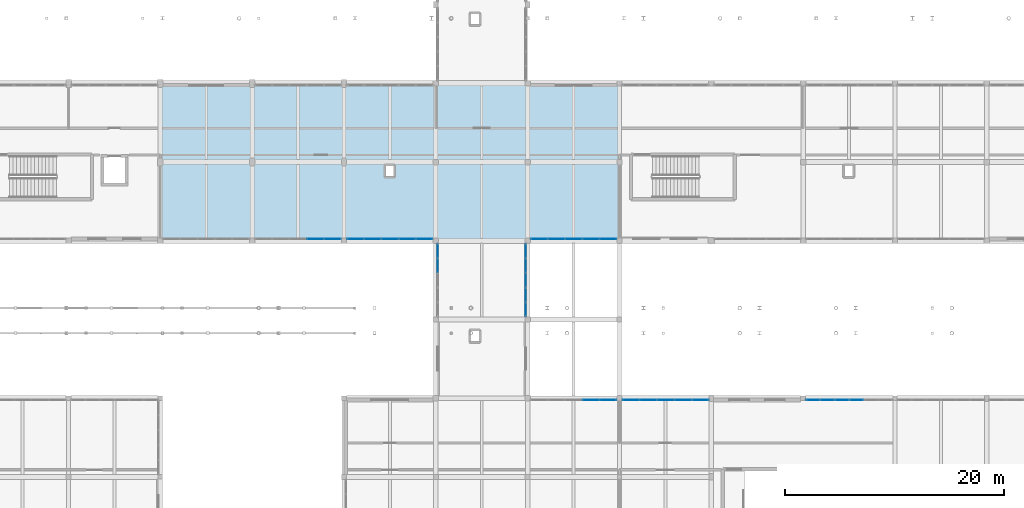
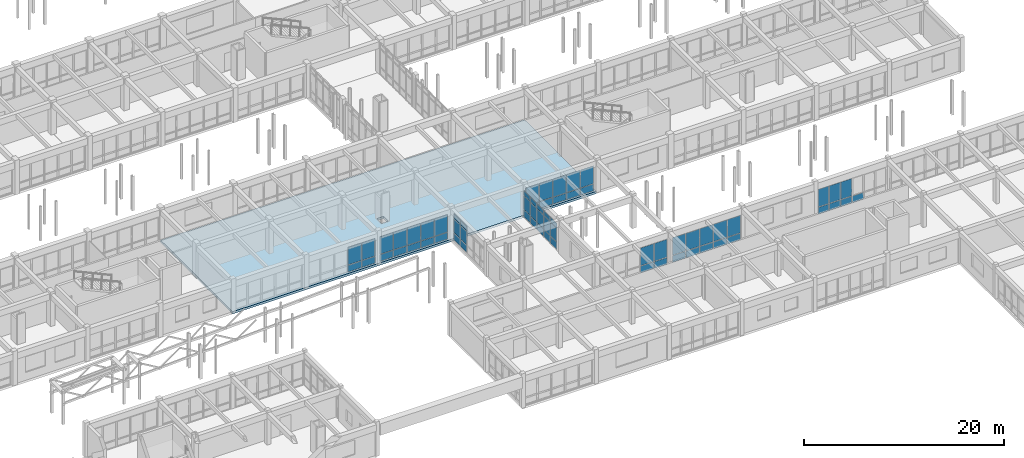
# One storey, part 104 of 147: 66 plates, 1 slab, 8 elements without a shape of their own.
"""IFC4 building model written with IfcOpenShell, lengths in metres."""

from ifc_helpers import new_model, si_unit, direction, frame, origin, origin_2d, place, context, subcontext, project, spatial, polyline, rectangle, outline, extrude, material, layer, layer_set, type_object, element, aggregate, save


model = new_model("IFC4")

# Units and contexts
model_context = context("Model", 3, precision=1e-05, world=origin(), true_north=direction((0.0, 1.0)))
body_context = subcontext(model_context, "Body", "Model", "MODEL_VIEW")
ifc_project = project(units=[si_unit("LENGTHUNIT", "METRE"), si_unit("AREAUNIT", "SQUARE_METRE"), si_unit("VOLUMEUNIT", "CUBIC_METRE"), si_unit("PLANEANGLEUNIT", "RADIAN"), si_unit("MASSUNIT", "GRAM", prefix="KILO")], contexts=[model_context])

# Site, building, storey
site_placement = place(None, origin())
site = spatial("IfcSite", under=ifc_project, at=site_placement, CompositionType="ELEMENT")
building_placement = place(site_placement, origin())
building = spatial("IfcBuilding", under=site, at=building_placement, Name="Malvenik Polytechnic", CompositionType="ELEMENT")
storey_placement = place(building_placement, frame((0.0, 0.0, 5.10009765625)))
storey = spatial("IfcBuildingStorey", under=building, at=storey_placement, Name="L01", CompositionType="ELEMENT", Elevation=5.10009765625)

# Curtain wall, plates
ifc_material_1 = material(Name="Anodised aluminium 6060-T6", Category="aluminium")
curtain_wall_type_1 = type_object("IfcCurtainWallType", Name="ARC-CW-CW-02", PredefinedType="NOTDEFINED", material=ifc_material_1)
curtain_wall_1_placement = place(storey_placement, origin())
curtain_wall_1 = element("IfcCurtainWall", 1, at=curtain_wall_1_placement, inside=storey, type_object=curtain_wall_type_1, Name="Unitised Curtain Wall CW-02 L01 #92", PredefinedType="NOTDEFINED")
ifc_material_2 = material(Name="Insulated low-E double glazing 8-16-8", Category="glass")
ifc_layer_1 = layer(ifc_material_2, 0.028076171875)
ifc_layer_set_1 = layer_set([ifc_layer_1], Name="Insulated low-E double glazing 8-16-8")
plate_type_1 = type_object("IfcPlateType", Name="ARC-CWP-CP-GLZ28", PredefinedType="CURTAIN_PANEL", material=ifc_layer_set_1)
plate_1_placement = place(storey_placement, frame((91.3466796875, 50.570068359375, 0.929931640625), z_axis=(0.0, 0.0, 1.0), x_axis=(-1.0, 0.0, 0.0)))
plate_1 = element("IfcPlate", 2, at=plate_1_placement, type_object=plate_type_1, Name="CW-02 panel 1.2", PredefinedType="CURTAIN_PANEL", context=body_context, shape_type="SweptSolid", body=[
    extrude(rectangle(XDim=1.49072265625, YDim=0.028076171875, at=origin_2d()), origin(), (0.0, 0.0, 1.0), 2.169921875),
])
plate_2_placement = place(storey_placement, frame((89.78076171875, 50.570068359375, 0.929931640625), z_axis=(0.0, 0.0, 1.0), x_axis=(-1.0, 0.0, 0.0)))
plate_2 = element("IfcPlate", 3, at=plate_2_placement, type_object=plate_type_1, Name="CW-02 panel 2.2", PredefinedType="CURTAIN_PANEL", context=body_context, shape_type="SweptSolid", body=[
    extrude(rectangle(XDim=1.520751953125, YDim=0.028076171875, at=origin_2d()), origin(), (0.0, 0.0, 1.0), 2.169921875),
])
plate_3_placement = place(storey_placement, frame((88.199951171875, 50.570068359375, 0.929931640625), z_axis=(0.0, 0.0, 1.0), x_axis=(-1.0, 0.0, 0.0)))
plate_3 = element("IfcPlate", 4, at=plate_3_placement, type_object=plate_type_1, Name="CW-02 panel 3.2", PredefinedType="CURTAIN_PANEL", context=body_context, shape_type="SweptSolid", body=[
    extrude(rectangle(XDim=1.520751953125, YDim=0.028076171875, at=origin_2d()), origin(), (0.0, 0.0, 1.0), 2.169921875),
])
plate_4_placement = place(storey_placement, frame((86.619140625, 50.570068359375, 0.929931640625), z_axis=(0.0, 0.0, 1.0), x_axis=(-1.0, 0.0, 0.0)))
plate_4 = element("IfcPlate", 5, at=plate_4_placement, type_object=plate_type_1, Name="CW-02 panel 4.2", PredefinedType="CURTAIN_PANEL", context=body_context, shape_type="SweptSolid", body=[
    extrude(rectangle(XDim=1.520751953125, YDim=0.028076171875, at=origin_2d()), origin(), (0.0, 0.0, 1.0), 2.169921875),
])
plate_5_placement = place(storey_placement, frame((85.053466796875, 50.570068359375, 0.929931640625), z_axis=(0.0, 0.0, 1.0), x_axis=(-1.0, 0.0, 0.0)))
plate_5 = element("IfcPlate", 6, at=plate_5_placement, type_object=plate_type_1, Name="CW-02 panel 5.2", PredefinedType="CURTAIN_PANEL", context=body_context, shape_type="SweptSolid", body=[
    extrude(rectangle(XDim=1.49072265625, YDim=0.028076171875, at=origin_2d()), origin(), (0.0, 0.0, 1.0), 2.169921875),
])

curtain_wall_type_2 = type_object("IfcCurtainWallType", Name="ARC-CW-CW-05", PredefinedType="NOTDEFINED", material=ifc_material_1)
curtain_wall_2_placement = place(storey_placement, origin())
curtain_wall_2 = element("IfcCurtainWall", 7, at=curtain_wall_2_placement, inside=storey, type_object=curtain_wall_type_2, Name="Unitised Curtain Wall CW-05 L01 #93", PredefinedType="NOTDEFINED")
plate_6_placement = place(storey_placement, frame((83.830078125, 49.466552734375, 0.97998046875), z_axis=(0.0, 0.0, 1.0), x_axis=(0.0, -1.0, 0.0)))
plate_6 = element("IfcPlate", 8, at=plate_6_placement, type_object=plate_type_1, Name="CW-05 panel 1.2", PredefinedType="CURTAIN_PANEL", context=body_context, shape_type="SweptSolid", body=[
    extrude(rectangle(XDim=1.250732421875, YDim=0.028076171875, at=origin_2d()), origin(), (0.0, 0.0, 1.0), 1.64990234375),
])
plate_7_placement = place(storey_placement, frame((83.830078125, 49.466552734375, 2.68994140625), z_axis=(0.0, 0.0, 1.0), x_axis=(0.0, -1.0, 0.0)))
plate_7 = element("IfcPlate", 9, at=plate_7_placement, type_object=plate_type_1, Name="CW-05 panel 1.3", PredefinedType="CURTAIN_PANEL", context=body_context, shape_type="SweptSolid", body=[
    extrude(rectangle(XDim=1.250732421875, YDim=0.028076171875, at=origin_2d()), origin(), (0.0, 0.0, 1.0), 0.56005859375),
])
plate_8_placement = place(storey_placement, frame((83.830078125, 48.140869140625, 0.97998046875), z_axis=(0.0, 0.0, 1.0), x_axis=(0.0, -1.0, 0.0)))
plate_8 = element("IfcPlate", 10, at=plate_8_placement, type_object=plate_type_1, Name="CW-05 panel 2.2", PredefinedType="CURTAIN_PANEL", context=body_context, shape_type="SweptSolid", body=[
    extrude(rectangle(XDim=1.28076171875, YDim=0.028076171875, at=origin_2d()), origin(), (0.0, 0.0, 1.0), 1.64990234375),
])
plate_9_placement = place(storey_placement, frame((83.830078125, 48.140869140625, 2.68994140625), z_axis=(0.0, 0.0, 1.0), x_axis=(0.0, -1.0, 0.0)))
plate_9 = element("IfcPlate", 11, at=plate_9_placement, type_object=plate_type_1, Name="CW-05 panel 2.3", PredefinedType="CURTAIN_PANEL", context=body_context, shape_type="SweptSolid", body=[
    extrude(rectangle(XDim=1.28076171875, YDim=0.028076171875, at=origin_2d()), origin(), (0.0, 0.0, 1.0), 0.56005859375),
])
plate_10_placement = place(storey_placement, frame((83.830078125, 46.800048828125, 0.97998046875), z_axis=(0.0, 0.0, 1.0), x_axis=(0.0, -1.0, 0.0)))
plate_10 = element("IfcPlate", 12, at=plate_10_placement, type_object=plate_type_1, Name="CW-05 panel 3.2", PredefinedType="CURTAIN_PANEL", context=body_context, shape_type="SweptSolid", body=[
    extrude(rectangle(XDim=1.28076171875, YDim=0.028076171875, at=origin_2d()), origin(), (0.0, 0.0, 1.0), 1.64990234375),
])
plate_11_placement = place(storey_placement, frame((83.830078125, 46.800048828125, 2.68994140625), z_axis=(0.0, 0.0, 1.0), x_axis=(0.0, -1.0, 0.0)))
plate_11 = element("IfcPlate", 13, at=plate_11_placement, type_object=plate_type_1, Name="CW-05 panel 3.3", PredefinedType="CURTAIN_PANEL", context=body_context, shape_type="SweptSolid", body=[
    extrude(rectangle(XDim=1.28076171875, YDim=0.028076171875, at=origin_2d()), origin(), (0.0, 0.0, 1.0), 0.56005859375),
])
plate_12_placement = place(storey_placement, frame((83.830078125, 45.459228515625, 0.97998046875), z_axis=(0.0, 0.0, 1.0), x_axis=(0.0, -1.0, 0.0)))
plate_12 = element("IfcPlate", 14, at=plate_12_placement, type_object=plate_type_1, Name="CW-05 panel 4.2", PredefinedType="CURTAIN_PANEL", context=body_context, shape_type="SweptSolid", body=[
    extrude(rectangle(XDim=1.28076171875, YDim=0.028076171875, at=origin_2d()), origin(), (0.0, 0.0, 1.0), 1.64990234375),
])
plate_13_placement = place(storey_placement, frame((83.830078125, 45.459228515625, 2.68994140625), z_axis=(0.0, 0.0, 1.0), x_axis=(0.0, -1.0, 0.0)))
plate_13 = element("IfcPlate", 15, at=plate_13_placement, type_object=plate_type_1, Name="CW-05 panel 4.3", PredefinedType="CURTAIN_PANEL", context=body_context, shape_type="SweptSolid", body=[
    extrude(rectangle(XDim=1.28076171875, YDim=0.028076171875, at=origin_2d()), origin(), (0.0, 0.0, 1.0), 0.56005859375),
])
plate_14_placement = place(storey_placement, frame((83.830078125, 44.13330078125, 0.97998046875), z_axis=(0.0, 0.0, 1.0), x_axis=(0.0, -1.0, 0.0)))
plate_14 = element("IfcPlate", 16, at=plate_14_placement, type_object=plate_type_1, Name="CW-05 panel 5.2", PredefinedType="CURTAIN_PANEL", context=body_context, shape_type="SweptSolid", body=[
    extrude(rectangle(XDim=1.250732421875, YDim=0.028076171875, at=origin_2d()), origin(), (0.0, 0.0, 1.0), 1.64990234375),
])
plate_15_placement = place(storey_placement, frame((83.830078125, 44.13330078125, 2.68994140625), z_axis=(0.0, 0.0, 1.0), x_axis=(0.0, -1.0, 0.0)))
plate_15 = element("IfcPlate", 17, at=plate_15_placement, type_object=plate_type_1, Name="CW-05 panel 5.3", PredefinedType="CURTAIN_PANEL", context=body_context, shape_type="SweptSolid", body=[
    extrude(rectangle(XDim=1.250732421875, YDim=0.028076171875, at=origin_2d()), origin(), (0.0, 0.0, 1.0), 0.56005859375),
])

curtain_wall_3_placement = place(storey_placement, origin())
curtain_wall_3 = element("IfcCurtainWall", 18, at=curtain_wall_3_placement, inside=storey, type_object=curtain_wall_type_1, Name="Unitised Curtain Wall CW-02 L01 #94", PredefinedType="NOTDEFINED")
plate_16_placement = place(storey_placement, frame((89.78076171875, 35.830078125, 0.929931640625), z_axis=(0.0, 0.0, 1.0), x_axis=(1.0, 0.0, 0.0)))
plate_16 = element("IfcPlate", 19, at=plate_16_placement, type_object=plate_type_1, Name="CW-02 panel 4.2", PredefinedType="CURTAIN_PANEL", context=body_context, shape_type="SweptSolid", body=[
    extrude(rectangle(XDim=1.520751953125, YDim=0.028076171875, at=origin_2d()), origin(), (0.0, 0.0, 1.0), 2.169921875),
])
plate_17_placement = place(storey_placement, frame((91.3466796875, 35.830078125, 0.929931640625), z_axis=(0.0, 0.0, 1.0), x_axis=(1.0, 0.0, 0.0)))
plate_17 = element("IfcPlate", 20, at=plate_17_placement, type_object=plate_type_1, Name="CW-02 panel 5.2", PredefinedType="CURTAIN_PANEL", context=body_context, shape_type="SweptSolid", body=[
    extrude(rectangle(XDim=1.49072265625, YDim=0.028076171875, at=origin_2d()), origin(), (0.0, 0.0, 1.0), 2.169921875),
])

curtain_wall_4_placement = place(storey_placement, origin())
curtain_wall_4 = element("IfcCurtainWall", 21, at=curtain_wall_4_placement, inside=storey, type_object=curtain_wall_type_1, Name="Unitised Curtain Wall CW-02 L01 #95", PredefinedType="NOTDEFINED")
plate_18_placement = place(storey_placement, frame((93.45849609375, 35.830078125, 0.929931640625), z_axis=(0.0, 0.0, 1.0), x_axis=(1.0, 0.0, 0.0)))
plate_18 = element("IfcPlate", 22, at=plate_18_placement, type_object=plate_type_1, Name="CW-02 panel 1.2", PredefinedType="CURTAIN_PANEL", context=body_context, shape_type="SweptSolid", body=[
    extrude(rectangle(XDim=1.500732421875, YDim=0.028076171875, at=origin_2d()), origin(), (0.0, 0.0, 1.0), 2.1201171875),
])
plate_19_placement = place(storey_placement, frame((95.0341796875, 35.830078125, 0.929931640625), z_axis=(0.0, 0.0, 1.0), x_axis=(1.0, 0.0, 0.0)))
plate_19 = element("IfcPlate", 23, at=plate_19_placement, type_object=plate_type_1, Name="CW-02 panel 2.2", PredefinedType="CURTAIN_PANEL", context=body_context, shape_type="SweptSolid", body=[
    extrude(rectangle(XDim=1.53076171875, YDim=0.028076171875, at=origin_2d()), origin(), (0.0, 0.0, 1.0), 2.1201171875),
])
plate_20_placement = place(storey_placement, frame((96.625, 35.830078125, 0.929931640625), z_axis=(0.0, 0.0, 1.0), x_axis=(1.0, 0.0, 0.0)))
plate_20 = element("IfcPlate", 24, at=plate_20_placement, type_object=plate_type_1, Name="CW-02 panel 3.2", PredefinedType="CURTAIN_PANEL", context=body_context, shape_type="SweptSolid", body=[
    extrude(rectangle(XDim=1.53076171875, YDim=0.028076171875, at=origin_2d()), origin(), (0.0, 0.0, 1.0), 2.1201171875),
])
plate_21_placement = place(storey_placement, frame((98.2158203125, 35.830078125, 0.929931640625), z_axis=(0.0, 0.0, 1.0), x_axis=(1.0, 0.0, 0.0)))
plate_21 = element("IfcPlate", 25, at=plate_21_placement, type_object=plate_type_1, Name="CW-02 panel 4.2", PredefinedType="CURTAIN_PANEL", context=body_context, shape_type="SweptSolid", body=[
    extrude(rectangle(XDim=1.53076171875, YDim=0.028076171875, at=origin_2d()), origin(), (0.0, 0.0, 1.0), 2.1201171875),
])
plate_22_placement = place(storey_placement, frame((99.79150390625, 35.830078125, 0.929931640625), z_axis=(0.0, 0.0, 1.0), x_axis=(1.0, 0.0, 0.0)))
plate_22 = element("IfcPlate", 26, at=plate_22_placement, type_object=plate_type_1, Name="CW-02 panel 5.2", PredefinedType="CURTAIN_PANEL", context=body_context, shape_type="SweptSolid", body=[
    extrude(rectangle(XDim=1.500732421875, YDim=0.028076171875, at=origin_2d()), origin(), (0.0, 0.0, 1.0), 2.1201171875),
])

curtain_wall_5_placement = place(storey_placement, origin())
curtain_wall_5 = element("IfcCurtainWall", 27, at=curtain_wall_5_placement, inside=storey, type_object=curtain_wall_type_1, Name="Unitised Curtain Wall CW-02 L01 #96", PredefinedType="NOTDEFINED")
plate_23_placement = place(storey_placement, frame((110.10302734375, 35.830078125, 0.929931640625), z_axis=(0.0, 0.0, 1.0), x_axis=(1.0, 0.0, 0.0)))
plate_23 = element("IfcPlate", 28, at=plate_23_placement, type_object=plate_type_1, Name="CW-02 panel 1.2", PredefinedType="CURTAIN_PANEL", context=body_context, shape_type="SweptSolid", body=[
    extrude(rectangle(XDim=1.23974609375, YDim=0.028076171875, at=origin_2d()), origin(), (0.0, 0.0, 1.0), 2.1201171875),
])
plate_24_placement = place(storey_placement, frame((111.417724609375, 35.830078125, 0.929931640625), z_axis=(0.0, 0.0, 1.0), x_axis=(1.0, 0.0, 0.0)))
plate_24 = element("IfcPlate", 29, at=plate_24_placement, type_object=plate_type_1, Name="CW-02 panel 2.2", PredefinedType="CURTAIN_PANEL", context=body_context, shape_type="SweptSolid", body=[
    extrude(rectangle(XDim=1.269775390625, YDim=0.028076171875, at=origin_2d()), origin(), (0.0, 0.0, 1.0), 2.1201171875),
])
plate_25_placement = place(storey_placement, frame((112.74755859375, 35.830078125, 0.929931640625), z_axis=(0.0, 0.0, 1.0), x_axis=(1.0, 0.0, 0.0)))
plate_25 = element("IfcPlate", 30, at=plate_25_placement, type_object=plate_type_1, Name="CW-02 panel 3.2", PredefinedType="CURTAIN_PANEL", context=body_context, shape_type="SweptSolid", body=[
    extrude(rectangle(XDim=1.269775390625, YDim=0.028076171875, at=origin_2d()), origin(), (0.0, 0.0, 1.0), 2.1201171875),
])

curtain_wall_6_placement = place(storey_placement, origin())
curtain_wall_6 = element("IfcCurtainWall", 31, at=curtain_wall_6_placement, inside=storey, type_object=curtain_wall_type_2, Name="Unitised Curtain Wall CW-05 L01 #117", PredefinedType="NOTDEFINED")
plate_26_placement = place(storey_placement, frame((75.77001953125, 48.140869140625, 0.97998046875), z_axis=(0.0, 0.0, 1.0), x_axis=(0.0, 1.0, 0.0)))
plate_26 = element("IfcPlate", 32, at=plate_26_placement, type_object=plate_type_1, Name="CW-05 panel 4.2", PredefinedType="CURTAIN_PANEL", context=body_context, shape_type="SweptSolid", body=[
    extrude(rectangle(XDim=1.28076171875, YDim=0.028076171875, at=origin_2d()), origin(), (0.0, 0.0, 1.0), 1.64990234375),
])
plate_27_placement = place(storey_placement, frame((75.77001953125, 48.140869140625, 2.68994140625), z_axis=(0.0, 0.0, 1.0), x_axis=(0.0, 1.0, 0.0)))
plate_27 = element("IfcPlate", 33, at=plate_27_placement, type_object=plate_type_1, Name="CW-05 panel 4.3", PredefinedType="CURTAIN_PANEL", context=body_context, shape_type="SweptSolid", body=[
    extrude(rectangle(XDim=1.28076171875, YDim=0.028076171875, at=origin_2d()), origin(), (0.0, 0.0, 1.0), 0.56005859375),
])
plate_28_placement = place(storey_placement, frame((75.77001953125, 49.466552734375, 0.97998046875), z_axis=(0.0, 0.0, 1.0), x_axis=(0.0, 1.0, 0.0)))
plate_28 = element("IfcPlate", 34, at=plate_28_placement, type_object=plate_type_1, Name="CW-05 panel 5.2", PredefinedType="CURTAIN_PANEL", context=body_context, shape_type="SweptSolid", body=[
    extrude(rectangle(XDim=1.250732421875, YDim=0.028076171875, at=origin_2d()), origin(), (0.0, 0.0, 1.0), 1.64990234375),
])
plate_29_placement = place(storey_placement, frame((75.77001953125, 49.466552734375, 2.68994140625), z_axis=(0.0, 0.0, 1.0), x_axis=(0.0, 1.0, 0.0)))
plate_29 = element("IfcPlate", 35, at=plate_29_placement, type_object=plate_type_1, Name="CW-05 panel 5.3", PredefinedType="CURTAIN_PANEL", context=body_context, shape_type="SweptSolid", body=[
    extrude(rectangle(XDim=1.250732421875, YDim=0.028076171875, at=origin_2d()), origin(), (0.0, 0.0, 1.0), 0.56005859375),
])

curtain_wall_7_placement = place(storey_placement, origin())
curtain_wall_7 = element("IfcCurtainWall", 36, at=curtain_wall_7_placement, inside=storey, type_object=curtain_wall_type_1, Name="Unitised Curtain Wall CW-02 L01 #118", PredefinedType="NOTDEFINED")
plate_30_placement = place(storey_placement, frame((74.546630859375, 50.570068359375, 0.929931640625), z_axis=(0.0, 0.0, 1.0), x_axis=(-1.0, 0.0, 0.0)))
plate_30 = element("IfcPlate", 37, at=plate_30_placement, type_object=plate_type_1, Name="CW-02 panel 1.2", PredefinedType="CURTAIN_PANEL", context=body_context, shape_type="SweptSolid", body=[
    extrude(rectangle(XDim=1.49072265625, YDim=0.028076171875, at=origin_2d()), origin(), (0.0, 0.0, 1.0), 2.1201171875),
])
plate_31_placement = place(storey_placement, frame((72.980712890625, 50.570068359375, 0.929931640625), z_axis=(0.0, 0.0, 1.0), x_axis=(-1.0, 0.0, 0.0)))
plate_31 = element("IfcPlate", 38, at=plate_31_placement, type_object=plate_type_1, Name="CW-02 panel 2.2", PredefinedType="CURTAIN_PANEL", context=body_context, shape_type="SweptSolid", body=[
    extrude(rectangle(XDim=1.520751953125, YDim=0.028076171875, at=origin_2d()), origin(), (0.0, 0.0, 1.0), 2.1201171875),
])
plate_32_placement = place(storey_placement, frame((71.39990234375, 50.570068359375, 0.929931640625), z_axis=(0.0, 0.0, 1.0), x_axis=(-1.0, 0.0, 0.0)))
plate_32 = element("IfcPlate", 39, at=plate_32_placement, type_object=plate_type_1, Name="CW-02 panel 3.2", PredefinedType="CURTAIN_PANEL", context=body_context, shape_type="SweptSolid", body=[
    extrude(rectangle(XDim=1.520751953125, YDim=0.028076171875, at=origin_2d()), origin(), (0.0, 0.0, 1.0), 2.1201171875),
])
plate_33_placement = place(storey_placement, frame((69.819091796875, 50.570068359375, 0.929931640625), z_axis=(0.0, 0.0, 1.0), x_axis=(-1.0, 0.0, 0.0)))
plate_33 = element("IfcPlate", 40, at=plate_33_placement, type_object=plate_type_1, Name="CW-02 panel 4.2", PredefinedType="CURTAIN_PANEL", context=body_context, shape_type="SweptSolid", body=[
    extrude(rectangle(XDim=1.520751953125, YDim=0.028076171875, at=origin_2d()), origin(), (0.0, 0.0, 1.0), 2.1201171875),
])
plate_34_placement = place(storey_placement, frame((68.25341796875, 50.570068359375, 0.929931640625), z_axis=(0.0, 0.0, 1.0), x_axis=(-1.0, 0.0, 0.0)))
plate_34 = element("IfcPlate", 41, at=plate_34_placement, type_object=plate_type_1, Name="CW-02 panel 5.2", PredefinedType="CURTAIN_PANEL", context=body_context, shape_type="SweptSolid", body=[
    extrude(rectangle(XDim=1.49072265625, YDim=0.028076171875, at=origin_2d()), origin(), (0.0, 0.0, 1.0), 2.1201171875),
])

curtain_wall_8_placement = place(storey_placement, origin())
curtain_wall_8 = element("IfcCurtainWall", 42, at=curtain_wall_8_placement, inside=storey, type_object=curtain_wall_type_1, Name="Unitised Curtain Wall CW-02 L01 #119", PredefinedType="NOTDEFINED")
plate_35_placement = place(storey_placement, frame((66.146484375, 50.570068359375, 0.929931640625), z_axis=(0.0, 0.0, 1.0), x_axis=(-1.0, 0.0, 0.0)))
plate_35 = element("IfcPlate", 43, at=plate_35_placement, type_object=plate_type_1, Name="CW-02 panel 1.2", PredefinedType="CURTAIN_PANEL", context=body_context, shape_type="SweptSolid", body=[
    extrude(rectangle(XDim=1.49072265625, YDim=0.028076171875, at=origin_2d()), origin(), (0.0, 0.0, 1.0), 2.1201171875),
])
plate_36_placement = place(storey_placement, frame((64.580810546875, 50.570068359375, 0.929931640625), z_axis=(0.0, 0.0, 1.0), x_axis=(-1.0, 0.0, 0.0)))
plate_36 = element("IfcPlate", 44, at=plate_36_placement, type_object=plate_type_1, Name="CW-02 panel 2.2", PredefinedType="CURTAIN_PANEL", context=body_context, shape_type="SweptSolid", body=[
    extrude(rectangle(XDim=1.520751953125, YDim=0.028076171875, at=origin_2d()), origin(), (0.0, 0.0, 1.0), 2.1201171875),
])

# Plate
ifc_material_3 = material(Name="Insulated aluminium spandrel cassette 42mm", Category="aluminium")
ifc_layer_2 = layer(ifc_material_3, 0.0419921875)
ifc_layer_set_2 = layer_set([ifc_layer_2], Name="Insulated aluminium spandrel cassette 42mm")
plate_type_2 = type_object("IfcPlateType", Name="ARC-CWP-CP-SPN42", PredefinedType="CURTAIN_PANEL", material=ifc_layer_set_2)
plate_37_placement = place(storey_placement, frame((91.3466796875, 50.570068359375, 0.059814453125), z_axis=(0.0, 0.0, 1.0), x_axis=(-1.0, 0.0, 0.0)))
plate_37 = element("IfcPlate", 45, at=plate_37_placement, type_object=plate_type_2, Name="CW-02 panel 1.1", PredefinedType="CURTAIN_PANEL", context=body_context, shape_type="SweptSolid", body=[
    extrude(rectangle(XDim=1.49072265625, YDim=0.028076171875, at=origin_2d()), origin(), (0.0, 0.0, 1.0), 0.81005859375),
])

plate_38_placement = place(storey_placement, frame((89.78076171875, 50.570068359375, 0.059814453125), z_axis=(0.0, 0.0, 1.0), x_axis=(-1.0, 0.0, 0.0)))
plate_38 = element("IfcPlate", 46, at=plate_38_placement, type_object=plate_type_2, Name="CW-02 panel 2.1", PredefinedType="CURTAIN_PANEL", context=body_context, shape_type="SweptSolid", body=[
    extrude(rectangle(XDim=1.520751953125, YDim=0.028076171875, at=origin_2d()), origin(), (0.0, 0.0, 1.0), 0.81005859375),
])

plate_39_placement = place(storey_placement, frame((88.199951171875, 50.570068359375, 0.059814453125), z_axis=(0.0, 0.0, 1.0), x_axis=(-1.0, 0.0, 0.0)))
plate_39 = element("IfcPlate", 47, at=plate_39_placement, type_object=plate_type_2, Name="CW-02 panel 3.1", PredefinedType="CURTAIN_PANEL", context=body_context, shape_type="SweptSolid", body=[
    extrude(rectangle(XDim=1.520751953125, YDim=0.028076171875, at=origin_2d()), origin(), (0.0, 0.0, 1.0), 0.81005859375),
])

plate_40_placement = place(storey_placement, frame((86.619140625, 50.570068359375, 0.059814453125), z_axis=(0.0, 0.0, 1.0), x_axis=(-1.0, 0.0, 0.0)))
plate_40 = element("IfcPlate", 48, at=plate_40_placement, type_object=plate_type_2, Name="CW-02 panel 4.1", PredefinedType="CURTAIN_PANEL", context=body_context, shape_type="SweptSolid", body=[
    extrude(rectangle(XDim=1.520751953125, YDim=0.028076171875, at=origin_2d()), origin(), (0.0, 0.0, 1.0), 0.81005859375),
])

plate_41_placement = place(storey_placement, frame((85.053466796875, 50.570068359375, 0.059814453125), z_axis=(0.0, 0.0, 1.0), x_axis=(-1.0, 0.0, 0.0)))
plate_41 = element("IfcPlate", 49, at=plate_41_placement, type_object=plate_type_2, Name="CW-02 panel 5.1", PredefinedType="CURTAIN_PANEL", context=body_context, shape_type="SweptSolid", body=[
    extrude(rectangle(XDim=1.49072265625, YDim=0.028076171875, at=origin_2d()), origin(), (0.0, 0.0, 1.0), 0.81005859375),
])

aggregate(curtain_wall_1, [plate_37, plate_1, plate_38, plate_2, plate_39, plate_3, plate_40, plate_4, plate_41, plate_5])

plate_42_placement = place(storey_placement, frame((83.830078125, 49.466552734375, 0.06005859375), z_axis=(0.0, 0.0, 1.0), x_axis=(0.0, -1.0, 0.0)))
plate_42 = element("IfcPlate", 50, at=plate_42_placement, type_object=plate_type_2, Name="CW-05 panel 1.1", PredefinedType="CURTAIN_PANEL", context=body_context, shape_type="SweptSolid", body=[
    extrude(rectangle(XDim=1.250732421875, YDim=0.028076171875, at=origin_2d()), origin(), (0.0, 0.0, 1.0), 0.860107421875),
])

plate_43_placement = place(storey_placement, frame((83.830078125, 48.140869140625, 0.06005859375), z_axis=(0.0, 0.0, 1.0), x_axis=(0.0, -1.0, 0.0)))
plate_43 = element("IfcPlate", 51, at=plate_43_placement, type_object=plate_type_2, Name="CW-05 panel 2.1", PredefinedType="CURTAIN_PANEL", context=body_context, shape_type="SweptSolid", body=[
    extrude(rectangle(XDim=1.28076171875, YDim=0.028076171875, at=origin_2d()), origin(), (0.0, 0.0, 1.0), 0.860107421875),
])

plate_44_placement = place(storey_placement, frame((83.830078125, 46.800048828125, 0.06005859375), z_axis=(0.0, 0.0, 1.0), x_axis=(0.0, -1.0, 0.0)))
plate_44 = element("IfcPlate", 52, at=plate_44_placement, type_object=plate_type_2, Name="CW-05 panel 3.1", PredefinedType="CURTAIN_PANEL", context=body_context, shape_type="SweptSolid", body=[
    extrude(rectangle(XDim=1.28076171875, YDim=0.028076171875, at=origin_2d()), origin(), (0.0, 0.0, 1.0), 0.860107421875),
])

plate_45_placement = place(storey_placement, frame((83.830078125, 45.459228515625, 0.06005859375), z_axis=(0.0, 0.0, 1.0), x_axis=(0.0, -1.0, 0.0)))
plate_45 = element("IfcPlate", 53, at=plate_45_placement, type_object=plate_type_2, Name="CW-05 panel 4.1", PredefinedType="CURTAIN_PANEL", context=body_context, shape_type="SweptSolid", body=[
    extrude(rectangle(XDim=1.28076171875, YDim=0.028076171875, at=origin_2d()), origin(), (0.0, 0.0, 1.0), 0.860107421875),
])

plate_46_placement = place(storey_placement, frame((83.830078125, 44.13330078125, 0.06005859375), z_axis=(0.0, 0.0, 1.0), x_axis=(0.0, -1.0, 0.0)))
plate_46 = element("IfcPlate", 54, at=plate_46_placement, type_object=plate_type_2, Name="CW-05 panel 5.1", PredefinedType="CURTAIN_PANEL", context=body_context, shape_type="SweptSolid", body=[
    extrude(rectangle(XDim=1.250732421875, YDim=0.028076171875, at=origin_2d()), origin(), (0.0, 0.0, 1.0), 0.860107421875),
])

aggregate(curtain_wall_2, [plate_42, plate_6, plate_7, plate_43, plate_8, plate_9, plate_44, plate_10, plate_11, plate_45, plate_12, plate_13, plate_46, plate_14, plate_15])

plate_47_placement = place(storey_placement, frame((89.78076171875, 35.830078125, 0.059814453125), z_axis=(0.0, 0.0, 1.0), x_axis=(1.0, 0.0, 0.0)))
plate_47 = element("IfcPlate", 55, at=plate_47_placement, type_object=plate_type_2, Name="CW-02 panel 4.1", PredefinedType="CURTAIN_PANEL", context=body_context, shape_type="SweptSolid", body=[
    extrude(rectangle(XDim=1.520751953125, YDim=0.028076171875, at=origin_2d()), origin(), (0.0, 0.0, 1.0), 0.81005859375),
])

plate_48_placement = place(storey_placement, frame((91.3466796875, 35.830078125, 0.059814453125), z_axis=(0.0, 0.0, 1.0), x_axis=(1.0, 0.0, 0.0)))
plate_48 = element("IfcPlate", 56, at=plate_48_placement, type_object=plate_type_2, Name="CW-02 panel 5.1", PredefinedType="CURTAIN_PANEL", context=body_context, shape_type="SweptSolid", body=[
    extrude(rectangle(XDim=1.49072265625, YDim=0.028076171875, at=origin_2d()), origin(), (0.0, 0.0, 1.0), 0.81005859375),
])

aggregate(curtain_wall_3, [plate_47, plate_16, plate_48, plate_17])

plate_49_placement = place(storey_placement, frame((93.45849609375, 35.830078125, 0.059814453125), z_axis=(0.0, 0.0, 1.0), x_axis=(1.0, 0.0, 0.0)))
plate_49 = element("IfcPlate", 57, at=plate_49_placement, type_object=plate_type_2, Name="CW-02 panel 1.1", PredefinedType="CURTAIN_PANEL", context=body_context, shape_type="SweptSolid", body=[
    extrude(rectangle(XDim=1.500732421875, YDim=0.028076171875, at=origin_2d()), origin(), (0.0, 0.0, 1.0), 0.81005859375),
])

plate_50_placement = place(storey_placement, frame((95.0341796875, 35.830078125, 0.059814453125), z_axis=(0.0, 0.0, 1.0), x_axis=(1.0, 0.0, 0.0)))
plate_50 = element("IfcPlate", 58, at=plate_50_placement, type_object=plate_type_2, Name="CW-02 panel 2.1", PredefinedType="CURTAIN_PANEL", context=body_context, shape_type="SweptSolid", body=[
    extrude(rectangle(XDim=1.53076171875, YDim=0.028076171875, at=origin_2d()), origin(), (0.0, 0.0, 1.0), 0.81005859375),
])

plate_51_placement = place(storey_placement, frame((96.625, 35.830078125, 0.059814453125), z_axis=(0.0, 0.0, 1.0), x_axis=(1.0, 0.0, 0.0)))
plate_51 = element("IfcPlate", 59, at=plate_51_placement, type_object=plate_type_2, Name="CW-02 panel 3.1", PredefinedType="CURTAIN_PANEL", context=body_context, shape_type="SweptSolid", body=[
    extrude(rectangle(XDim=1.53076171875, YDim=0.028076171875, at=origin_2d()), origin(), (0.0, 0.0, 1.0), 0.81005859375),
])

plate_52_placement = place(storey_placement, frame((98.2158203125, 35.830078125, 0.059814453125), z_axis=(0.0, 0.0, 1.0), x_axis=(1.0, 0.0, 0.0)))
plate_52 = element("IfcPlate", 60, at=plate_52_placement, type_object=plate_type_2, Name="CW-02 panel 4.1", PredefinedType="CURTAIN_PANEL", context=body_context, shape_type="SweptSolid", body=[
    extrude(rectangle(XDim=1.53076171875, YDim=0.028076171875, at=origin_2d()), origin(), (0.0, 0.0, 1.0), 0.81005859375),
])

plate_53_placement = place(storey_placement, frame((99.79150390625, 35.830078125, 0.059814453125), z_axis=(0.0, 0.0, 1.0), x_axis=(1.0, 0.0, 0.0)))
plate_53 = element("IfcPlate", 61, at=plate_53_placement, type_object=plate_type_2, Name="CW-02 panel 5.1", PredefinedType="CURTAIN_PANEL", context=body_context, shape_type="SweptSolid", body=[
    extrude(rectangle(XDim=1.500732421875, YDim=0.028076171875, at=origin_2d()), origin(), (0.0, 0.0, 1.0), 0.81005859375),
])

aggregate(curtain_wall_4, [plate_49, plate_18, plate_50, plate_19, plate_51, plate_20, plate_52, plate_21, plate_53, plate_22])

plate_54_placement = place(storey_placement, frame((110.10302734375, 35.830078125, 0.059814453125), z_axis=(0.0, 0.0, 1.0), x_axis=(1.0, 0.0, 0.0)))
plate_54 = element("IfcPlate", 62, at=plate_54_placement, type_object=plate_type_2, Name="CW-02 panel 1.1", PredefinedType="CURTAIN_PANEL", context=body_context, shape_type="SweptSolid", body=[
    extrude(rectangle(XDim=1.23974609375, YDim=0.028076171875, at=origin_2d()), origin(), (0.0, 0.0, 1.0), 0.81005859375),
])

plate_55_placement = place(storey_placement, frame((111.417724609375, 35.830078125, 0.059814453125), z_axis=(0.0, 0.0, 1.0), x_axis=(1.0, 0.0, 0.0)))
plate_55 = element("IfcPlate", 63, at=plate_55_placement, type_object=plate_type_2, Name="CW-02 panel 2.1", PredefinedType="CURTAIN_PANEL", context=body_context, shape_type="SweptSolid", body=[
    extrude(rectangle(XDim=1.269775390625, YDim=0.028076171875, at=origin_2d()), origin(), (0.0, 0.0, 1.0), 0.81005859375),
])

plate_56_placement = place(storey_placement, frame((112.74755859375, 35.830078125, 0.059814453125), z_axis=(0.0, 0.0, 1.0), x_axis=(1.0, 0.0, 0.0)))
plate_56 = element("IfcPlate", 64, at=plate_56_placement, type_object=plate_type_2, Name="CW-02 panel 3.1", PredefinedType="CURTAIN_PANEL", context=body_context, shape_type="SweptSolid", body=[
    extrude(rectangle(XDim=1.269775390625, YDim=0.028076171875, at=origin_2d()), origin(), (0.0, 0.0, 1.0), 0.81005859375),
])

plate_57_placement = place(storey_placement, frame((114.077392578125, 35.830078125, 0.059814453125), z_axis=(0.0, 0.0, 1.0), x_axis=(1.0, 0.0, 0.0)))
plate_57 = element("IfcPlate", 65, at=plate_57_placement, type_object=plate_type_2, Name="CW-02 panel 4.1", PredefinedType="CURTAIN_PANEL", context=body_context, shape_type="SweptSolid", body=[
    extrude(rectangle(XDim=1.269775390625, YDim=0.028076171875, at=origin_2d()), origin(), (0.0, 0.0, 1.0), 0.81005859375),
])

aggregate(curtain_wall_5, [plate_54, plate_23, plate_55, plate_24, plate_56, plate_25, plate_57])

plate_58_placement = place(storey_placement, frame((75.77001953125, 48.140869140625, 0.06005859375), z_axis=(0.0, 0.0, 1.0), x_axis=(0.0, 1.0, 0.0)))
plate_58 = element("IfcPlate", 66, at=plate_58_placement, type_object=plate_type_2, Name="CW-05 panel 4.1", PredefinedType="CURTAIN_PANEL", context=body_context, shape_type="SweptSolid", body=[
    extrude(rectangle(XDim=1.28076171875, YDim=0.028076171875, at=origin_2d()), origin(), (0.0, 0.0, 1.0), 0.860107421875),
])

plate_59_placement = place(storey_placement, frame((75.77001953125, 49.466552734375, 0.06005859375), z_axis=(0.0, 0.0, 1.0), x_axis=(0.0, 1.0, 0.0)))
plate_59 = element("IfcPlate", 67, at=plate_59_placement, type_object=plate_type_2, Name="CW-05 panel 5.1", PredefinedType="CURTAIN_PANEL", context=body_context, shape_type="SweptSolid", body=[
    extrude(rectangle(XDim=1.250732421875, YDim=0.028076171875, at=origin_2d()), origin(), (0.0, 0.0, 1.0), 0.860107421875),
])

aggregate(curtain_wall_6, [plate_58, plate_26, plate_27, plate_59, plate_28, plate_29])

plate_60_placement = place(storey_placement, frame((74.546630859375, 50.570068359375, 0.059814453125), z_axis=(0.0, 0.0, 1.0), x_axis=(-1.0, 0.0, 0.0)))
plate_60 = element("IfcPlate", 68, at=plate_60_placement, type_object=plate_type_2, Name="CW-02 panel 1.1", PredefinedType="CURTAIN_PANEL", context=body_context, shape_type="SweptSolid", body=[
    extrude(rectangle(XDim=1.49072265625, YDim=0.028076171875, at=origin_2d()), origin(), (0.0, 0.0, 1.0), 0.81005859375),
])

plate_61_placement = place(storey_placement, frame((72.980712890625, 50.570068359375, 0.059814453125), z_axis=(0.0, 0.0, 1.0), x_axis=(-1.0, 0.0, 0.0)))
plate_61 = element("IfcPlate", 69, at=plate_61_placement, type_object=plate_type_2, Name="CW-02 panel 2.1", PredefinedType="CURTAIN_PANEL", context=body_context, shape_type="SweptSolid", body=[
    extrude(rectangle(XDim=1.520751953125, YDim=0.028076171875, at=origin_2d()), origin(), (0.0, 0.0, 1.0), 0.81005859375),
])

plate_62_placement = place(storey_placement, frame((71.39990234375, 50.570068359375, 0.059814453125), z_axis=(0.0, 0.0, 1.0), x_axis=(-1.0, 0.0, 0.0)))
plate_62 = element("IfcPlate", 70, at=plate_62_placement, type_object=plate_type_2, Name="CW-02 panel 3.1", PredefinedType="CURTAIN_PANEL", context=body_context, shape_type="SweptSolid", body=[
    extrude(rectangle(XDim=1.520751953125, YDim=0.028076171875, at=origin_2d()), origin(), (0.0, 0.0, 1.0), 0.81005859375),
])

plate_63_placement = place(storey_placement, frame((69.819091796875, 50.570068359375, 0.059814453125), z_axis=(0.0, 0.0, 1.0), x_axis=(-1.0, 0.0, 0.0)))
plate_63 = element("IfcPlate", 71, at=plate_63_placement, type_object=plate_type_2, Name="CW-02 panel 4.1", PredefinedType="CURTAIN_PANEL", context=body_context, shape_type="SweptSolid", body=[
    extrude(rectangle(XDim=1.520751953125, YDim=0.028076171875, at=origin_2d()), origin(), (0.0, 0.0, 1.0), 0.81005859375),
])

plate_64_placement = place(storey_placement, frame((68.25341796875, 50.570068359375, 0.059814453125), z_axis=(0.0, 0.0, 1.0), x_axis=(-1.0, 0.0, 0.0)))
plate_64 = element("IfcPlate", 72, at=plate_64_placement, type_object=plate_type_2, Name="CW-02 panel 5.1", PredefinedType="CURTAIN_PANEL", context=body_context, shape_type="SweptSolid", body=[
    extrude(rectangle(XDim=1.49072265625, YDim=0.028076171875, at=origin_2d()), origin(), (0.0, 0.0, 1.0), 0.81005859375),
])

aggregate(curtain_wall_7, [plate_60, plate_30, plate_61, plate_31, plate_62, plate_32, plate_63, plate_33, plate_64, plate_34])

plate_65_placement = place(storey_placement, frame((66.146484375, 50.570068359375, 0.059814453125), z_axis=(0.0, 0.0, 1.0), x_axis=(-1.0, 0.0, 0.0)))
plate_65 = element("IfcPlate", 73, at=plate_65_placement, type_object=plate_type_2, Name="CW-02 panel 1.1", PredefinedType="CURTAIN_PANEL", context=body_context, shape_type="SweptSolid", body=[
    extrude(rectangle(XDim=1.49072265625, YDim=0.028076171875, at=origin_2d()), origin(), (0.0, 0.0, 1.0), 0.81005859375),
])

plate_66_placement = place(storey_placement, frame((64.580810546875, 50.570068359375, 0.059814453125), z_axis=(0.0, 0.0, 1.0), x_axis=(-1.0, 0.0, 0.0)))
plate_66 = element("IfcPlate", 74, at=plate_66_placement, type_object=plate_type_2, Name="CW-02 panel 2.1", PredefinedType="CURTAIN_PANEL", context=body_context, shape_type="SweptSolid", body=[
    extrude(rectangle(XDim=1.520751953125, YDim=0.028076171875, at=origin_2d()), origin(), (0.0, 0.0, 1.0), 0.81005859375),
])

aggregate(curtain_wall_8, [plate_65, plate_35, plate_66, plate_36])

# Slab
ifc_material_4 = material(Name="Concrete C35/45", Category="concrete")
ifc_layer_3 = layer(ifc_material_4, 0.280029296875)
ifc_layer_set_3 = layer_set([ifc_layer_3], Name="Concrete C35/45")
slab_type = type_object("IfcSlabType", Name="STR-SLB-FLR-280", PredefinedType="FLOOR", material=ifc_layer_set_3)
slab_placement = place(storey_placement, frame((0.0, 0.0, -0.280029296875)))
element("IfcSlab", 75, at=slab_placement, inside=storey, type_object=slab_type, Name="Structural Slab L01-V3 #53", PredefinedType="FLOOR", context=body_context, shape_type="SweptSolid", body=[
    extrude(outline(polyline([(92.3798828125, 64.800048828125), (92.3798828125, 50.39990234375), (50.419921875, 50.39990234375), (50.419921875, 64.800048828125), (92.3798828125, 64.800048828125)]), holes=[polyline([(71.75, 57.25), (71.0, 57.25), (71.0, 56.300048828125), (71.75, 56.300048828125), (71.75, 57.25)])]), origin(), (0.0, 0.0, 1.0), 0.280029296875),
])

save(model, "model.ifc")
